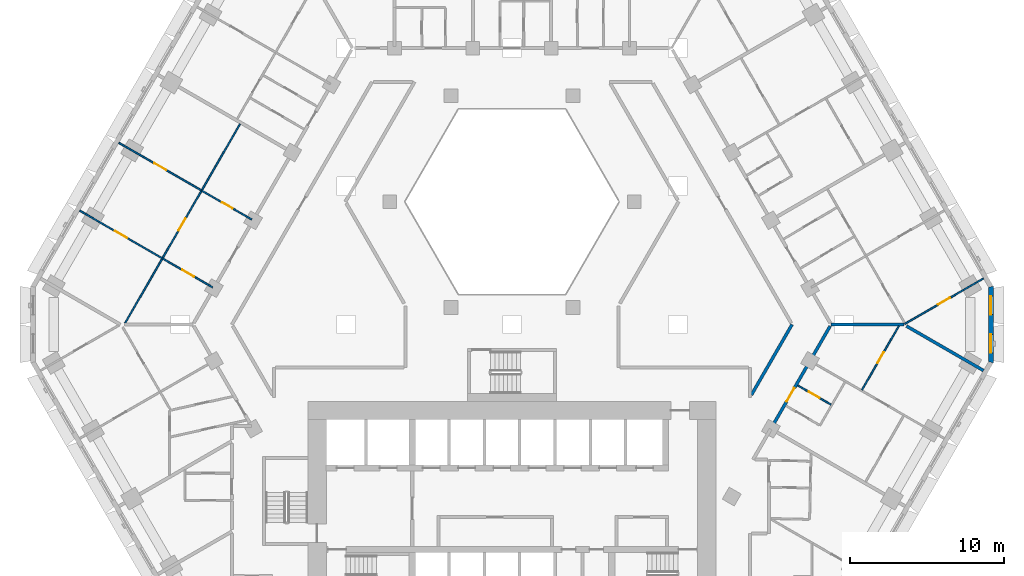
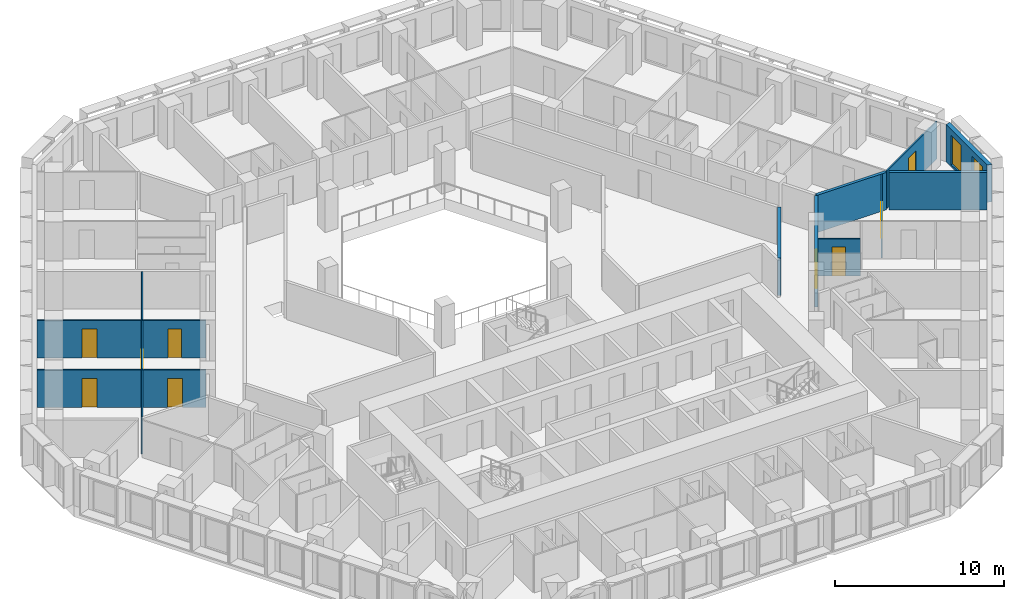
# One storey, part 8 of 21: 13 walls, 9 doors, 2 windows, 11 openings.
"""IFC4 building model written with IfcOpenShell, lengths in metres."""

from ifc_helpers import new_model, si_unit, direction, frame, frame_2d, origin, place, context, subcontext, project, spatial, polyline, rectangle, outline, extrude, material, layer, layer_set, type_object, element, fill, save


model = new_model("IFC4")

# Units and contexts
model_context = context("Model", 3, precision=1e-05, world=origin(), true_north=direction((0.0, 1.0)))
body_context = subcontext(model_context, "Body", "Model", "MODEL_VIEW")
ifc_project = project(units=[si_unit("LENGTHUNIT", "METRE"), si_unit("AREAUNIT", "SQUARE_METRE"), si_unit("VOLUMEUNIT", "CUBIC_METRE"), si_unit("PLANEANGLEUNIT", "RADIAN"), si_unit("MASSUNIT", "GRAM", prefix="KILO")], contexts=[model_context])

# Site, building, storey
site_placement = place(None, origin())
site = spatial("IfcSite", under=ifc_project, at=site_placement, CompositionType="ELEMENT")
building_placement = place(site_placement, origin())
building = spatial("IfcBuilding", under=site, at=building_placement, Name="Beryl Residences", CompositionType="ELEMENT")
storey_placement = place(building_placement, frame((0.0, 0.0, 23.39990234375)))
storey = spatial("IfcBuildingStorey", under=building, at=storey_placement, Name="L06", CompositionType="ELEMENT", Elevation=23.39990234375)

# Wall, openings, windows
ifc_material_1 = material(Name="Composite metal panel with mineral wool insulation")
ifc_layer_1 = layer(ifc_material_1, 0.300048828125)
ifc_layer_set_1 = layer_set([ifc_layer_1], Name="ES1 pale metal composite panel wall 300 mm")
wall_type_1 = type_object("IfcWallType", Name="ES1 pale metal composite panel wall 300 mm", PredefinedType="SOLIDWALL", material=ifc_layer_set_1)
wall_1_placement = place(storey_placement, frame((31.199951171875, -2.5, 0.0), z_axis=(0.0, 0.0, 1.0), x_axis=(0.0, 1.0, 0.0)))
wall_1 = element("IfcWall", 1, at=wall_1_placement, inside=storey, type_object=wall_type_1, Name="ES1 external wall L06 SE-NE", PredefinedType="SOLIDWALL", context=body_context, shape_type="SweptSolid", body=[
    extrude(outline(polyline([(0.0, -0.14990234375), (5.0, -0.14990234375), (4.919677734375, 0.14990234375), (0.080322265625, 0.14990234375), (0.0, -0.14990234375)])), origin(), (0.0, 0.0, 1.0), 2.7001953125),
])
opening_1_placement = place(wall_1_placement, frame((0.64990234375, 0.0, 0.14990234375)))
opening_1 = element("IfcOpeningElement", 2, at=opening_1_placement, cuts=wall_1, Name="Opening W2", PredefinedType="OPENING", context=body_context, shape_type="SweptSolid", body=[
    extrude(rectangle(XDim=1.199951171875, YDim=2.10009765625, at=frame_2d((0.60009765625, 1.050048828125))), frame((0.0, 0.159912109375, 0.0), z_axis=(0.0, -1.0, 0.0), x_axis=(1.0, 0.0, 0.0)), (0.0, 0.0, 1.0), 0.320068359375),
])
opening_2_placement = place(wall_1_placement, frame((3.14990234375, 0.0, 0.14990234375)))
opening_2 = element("IfcOpeningElement", 3, at=opening_2_placement, cuts=wall_1, Name="Opening W2", PredefinedType="OPENING", context=body_context, shape_type="SweptSolid", body=[
    extrude(rectangle(XDim=1.199951171875, YDim=2.10009765625, at=frame_2d((0.60009765625, 1.050048828125))), frame((0.0, 0.159912109375, 0.0), z_axis=(0.0, -1.0, 0.0), x_axis=(1.0, 0.0, 0.0)), (0.0, 0.0, 1.0), 0.320068359375),
])
ifc_material_2 = material(Name="Aluminium and clear glass", Category="aluminium")
window_type = type_object("IfcWindowType", Name="W2 chamfer window 1200 x 2100 mm", PartitioningType="SINGLE_PANEL", PredefinedType="WINDOW", material=ifc_material_2)
window_1_placement = place(opening_1_placement, origin())
window_1 = element("IfcWindow", 4, at=window_1_placement, inside=storey, type_object=window_type, Name="W2 window L06 SE-NE 1", OverallHeight=2.10009765625, OverallWidth=1.199951171875, PartitioningType="SINGLE_PANEL", PredefinedType="WINDOW", context=body_context, shape_type="SweptSolid", body=[
    extrude(rectangle(XDim=1.199951171875, YDim=2.10009765625, at=frame_2d((0.60009765625, 1.050048828125))), frame((0.0, 0.030029296875, 0.0), z_axis=(0.0, -1.0, 0.0), x_axis=(1.0, 0.0, 0.0)), (0.0, 0.0, 1.0), 0.06005859375),
])
fill(opening_1, window_1)
window_2_placement = place(opening_2_placement, origin())
window_2 = element("IfcWindow", 5, at=window_2_placement, inside=storey, type_object=window_type, Name="W2 window L06 SE-NE 2", OverallHeight=2.10009765625, OverallWidth=1.199951171875, PartitioningType="SINGLE_PANEL", PredefinedType="WINDOW", context=body_context, shape_type="SweptSolid", body=[
    extrude(rectangle(XDim=1.199951171875, YDim=2.10009765625, at=frame_2d((0.60009765625, 1.050048828125))), frame((0.0, 0.030029296875, 0.0), z_axis=(0.0, -1.0, 0.0), x_axis=(1.0, 0.0, 0.0)), (0.0, 0.0, 1.0), 0.06005859375),
])
fill(opening_2, window_2)

# Wall, opening, door
ifc_material_3 = material(Name="Gypsum board partition on steel studs", Category="steel")
ifc_layer_2 = layer(ifc_material_3, 0.10009765625)
ifc_layer_set_2 = layer_set([ifc_layer_2], Name="PT1 partition 100 mm gypsum board on steel studs")
wall_type_2 = type_object("IfcWallType", Name="PT1 partition 100 mm gypsum board on steel studs", PredefinedType="PARTITIONING", material=ifc_layer_set_2)
wall_2_placement = place(storey_placement, frame((-28.1640625, 7.4189453125, 0.0), z_axis=(0.0, 0.0, 1.0), x_axis=(0.86607068519, -0.499921562103, 0.0)))
wall_2 = element("IfcWall", 6, at=wall_2_placement, inside=storey, type_object=wall_type_2, Name="Wall PT1 L06 014", PredefinedType="PARTITIONING", context=body_context, shape_type="SweptSolid", body=[
    extrude(rectangle(XDim=6.22705078125, YDim=0.10009765625, at=frame_2d((3.113525390625, 0.0))), origin(), (0.0, 0.0, 1.0), 2.7001953125),
])
opening_3_placement = place(wall_2_placement, frame((2.6630859375, 0.0, 0.0)))
opening_3 = element("IfcOpeningElement", 7, at=opening_3_placement, cuts=wall_2, Name="Opening D0167", PredefinedType="OPENING", context=body_context, shape_type="SweptSolid", body=[
    extrude(rectangle(XDim=0.89990234375, YDim=2.10009765625, at=frame_2d((0.449951171875, 1.050048828125))), frame((0.0, 0.06005859375, 0.0), z_axis=(0.0, -1.0, 0.0), x_axis=(1.0, 0.0, 0.0)), (0.0, 0.0, 1.0), 0.1201171875),
])
ifc_material_4 = material(Name="Timber door leaf", Category="wood")
door_type_1 = type_object("IfcDoorType", Name="D2 room door 900 x 2100 mm", OperationType="SINGLE_SWING_LEFT", PredefinedType="DOOR", material=ifc_material_4)
door_1_placement = place(opening_3_placement, origin())
door_1 = element("IfcDoor", 8, at=door_1_placement, inside=storey, type_object=door_type_1, Name="Door D0167 L06 001", OperationType="SINGLE_SWING_LEFT", OverallHeight=2.10009765625, OverallWidth=0.89990234375, PredefinedType="DOOR", context=body_context, shape_type="SweptSolid", body=[
    extrude(rectangle(XDim=0.89990234375, YDim=2.10009765625, at=frame_2d((0.449951171875, 1.050048828125))), frame((0.0, 0.02490234375, 0.0), z_axis=(0.0, -1.0, 0.0), x_axis=(1.0, 0.0, 0.0)), (0.0, 0.0, 1.0), 0.050048828125),
])
fill(opening_3, door_1)

wall_3_placement = place(storey_placement, frame((-25.611083984375, 11.839111328125, 0.0), z_axis=(0.0, 0.0, 1.0), x_axis=(0.866031483044, -0.499989470266, 0.0)))
wall_3 = element("IfcWall", 9, at=wall_3_placement, inside=storey, type_object=wall_type_2, Name="Wall PT1 L06 015", PredefinedType="PARTITIONING", context=body_context, shape_type="SweptSolid", body=[
    extrude(rectangle(XDim=6.226318359375, YDim=0.10009765625, at=frame_2d((3.11328125, 0.0))), origin(), (0.0, 0.0, 1.0), 2.7001953125),
])
opening_4_placement = place(wall_3_placement, frame((2.6630859375, 0.0, 0.0)))
opening_4 = element("IfcOpeningElement", 10, at=opening_4_placement, cuts=wall_3, Name="Opening D0168", PredefinedType="OPENING", context=body_context, shape_type="SweptSolid", body=[
    extrude(rectangle(XDim=0.89990234375, YDim=2.10009765625, at=frame_2d((0.449951171875, 1.050048828125))), frame((0.0, 0.06005859375, 0.0), z_axis=(0.0, -1.0, 0.0), x_axis=(1.0, 0.0, 0.0)), (0.0, 0.0, 1.0), 0.1201171875),
])
door_2_placement = place(opening_4_placement, origin())
door_2 = element("IfcDoor", 11, at=door_2_placement, inside=storey, type_object=door_type_1, Name="Door D0168 L06 001", OperationType="SINGLE_SWING_RIGHT", OverallHeight=2.10009765625, OverallWidth=0.89990234375, PredefinedType="DOOR", context=body_context, shape_type="SweptSolid", body=[
    extrude(rectangle(XDim=0.89990234375, YDim=2.10009765625, at=frame_2d((0.449951171875, 1.050048828125))), frame((0.0, 0.02490234375, 0.0), z_axis=(0.0, -1.0, 0.0), x_axis=(1.0, 0.0, 0.0)), (0.0, 0.0, 1.0), 0.050048828125),
])
fill(opening_4, door_2)

wall_4_placement = place(storey_placement, frame((18.610107421875, -3.966064453125, 0.0), z_axis=(0.0, 0.0, 1.0), x_axis=(0.865958718457, -0.500115484592, 0.0)))
wall_4 = element("IfcWall", 12, at=wall_4_placement, inside=storey, type_object=wall_type_2, Name="Wall PT1 L06 019", PredefinedType="PARTITIONING", context=body_context, shape_type="SweptSolid", body=[
    extrude(rectangle(XDim=2.50927734375, YDim=0.10009765625, at=frame_2d((1.254638671875, 0.0))), origin(), (0.0, 0.0, 1.0), 2.7001953125),
])
opening_5_placement = place(wall_4_placement, frame((0.830078125, 0.0, 0.0)))
opening_5 = element("IfcOpeningElement", 13, at=opening_5_placement, cuts=wall_4, Name="Opening D0124", PredefinedType="OPENING", context=body_context, shape_type="SweptSolid", body=[
    extrude(rectangle(XDim=0.800048828125, YDim=2.10009765625, at=frame_2d((0.39990234375, 1.050048828125))), frame((0.0, 0.06005859375, 0.0), z_axis=(0.0, -1.0, 0.0), x_axis=(1.0, 0.0, 0.0)), (0.0, 0.0, 1.0), 0.1201171875),
])
ifc_material_5 = material(Name="Timber door leaf", Category="wood")
door_type_2 = type_object("IfcDoorType", Name="D3 bathroom door 800 x 2100 mm", OperationType="SINGLE_SWING_LEFT", PredefinedType="DOOR", material=ifc_material_5)
door_3_placement = place(opening_5_placement, origin())
door_3 = element("IfcDoor", 14, at=door_3_placement, inside=storey, type_object=door_type_2, Name="Door D0124 L06 001", OperationType="SINGLE_SWING_RIGHT", OverallHeight=2.10009765625, OverallWidth=0.800048828125, PredefinedType="DOOR", context=body_context, shape_type="SweptSolid", body=[
    extrude(rectangle(XDim=0.800048828125, YDim=2.10009765625, at=frame_2d((0.39990234375, 1.050048828125))), frame((0.0, 0.02490234375, 0.0), z_axis=(0.0, -1.0, 0.0), x_axis=(1.0, 0.0, 0.0)), (0.0, 0.0, 1.0), 0.050048828125),
])
fill(opening_5, door_3)

wall_5_placement = place(storey_placement, frame((22.797119140625, -4.262939453125, 0.0), z_axis=(0.0, 0.0, 1.0), x_axis=(0.499820637322, 0.866128934112, 0.0)))
wall_5 = element("IfcWall", 15, at=wall_5_placement, inside=storey, type_object=wall_type_2, Name="Wall PT1 L06 036", PredefinedType="PARTITIONING", context=body_context, shape_type="SweptSolid", body=[
    extrude(rectangle(XDim=4.807373046875, YDim=0.10009765625, at=frame_2d((2.40380859375, 0.0))), origin(), (0.0, 0.0, 1.0), 2.7001953125),
])
opening_6_placement = place(wall_5_placement, frame((2.037109375, 0.0, 0.0)))
opening_6 = element("IfcOpeningElement", 16, at=opening_6_placement, cuts=wall_5, Name="Opening D0127", PredefinedType="OPENING", context=body_context, shape_type="SweptSolid", body=[
    extrude(rectangle(XDim=0.800048828125, YDim=2.10009765625, at=frame_2d((0.39990234375, 1.050048828125))), frame((0.0, 0.06005859375, 0.0), z_axis=(0.0, -1.0, 0.0), x_axis=(1.0, 0.0, 0.0)), (0.0, 0.0, 1.0), 0.1201171875),
])
door_4_placement = place(opening_6_placement, origin())
door_4 = element("IfcDoor", 17, at=door_4_placement, inside=storey, type_object=door_type_2, Name="Door D0127 L06 001", OperationType="SINGLE_SWING_LEFT", OverallHeight=2.10009765625, OverallWidth=0.800048828125, PredefinedType="DOOR", context=body_context, shape_type="SweptSolid", body=[
    extrude(rectangle(XDim=0.800048828125, YDim=2.10009765625, at=frame_2d((0.39990234375, 1.050048828125))), frame((0.0, 0.02490234375, 0.0), z_axis=(0.0, -1.0, 0.0), x_axis=(1.0, 0.0, 0.0)), (0.0, 0.0, 1.0), 0.050048828125),
])
fill(opening_6, door_4)

wall_6_placement = place(storey_placement, frame((-25.199951171875, 0.09912109375, 0.0), z_axis=(0.0, 0.0, 1.0), x_axis=(0.49997477318, 0.866039968006, 0.0)))
wall_6 = element("IfcWall", 18, at=wall_6_placement, inside=storey, type_object=wall_type_2, Name="Wall PT1 L06 039", PredefinedType="PARTITIONING", context=body_context, shape_type="SweptSolid", body=[
    extrude(rectangle(XDim=14.964599609375, YDim=0.10009765625, at=frame_2d((7.482421875, 0.0))), origin(), (0.0, 0.0, 1.0), 2.7001953125),
])
opening_7_placement = place(wall_6_placement, frame((6.9599609375, 0.0, 0.0)))
opening_7 = element("IfcOpeningElement", 19, at=opening_7_placement, cuts=wall_6, Name="Opening D0164", PredefinedType="OPENING", context=body_context, shape_type="SweptSolid", body=[
    extrude(rectangle(XDim=0.89990234375, YDim=2.10009765625, at=frame_2d((0.449951171875, 1.050048828125))), frame((0.0, 0.06005859375, 0.0), z_axis=(0.0, -1.0, 0.0), x_axis=(1.0, 0.0, 0.0)), (0.0, 0.0, 1.0), 0.1201171875),
])
door_5_placement = place(opening_7_placement, origin())
door_5 = element("IfcDoor", 20, at=door_5_placement, inside=storey, type_object=door_type_1, Name="Door D0164 L06 001", OperationType="SINGLE_SWING_RIGHT", OverallHeight=2.10009765625, OverallWidth=0.89990234375, PredefinedType="DOOR", context=body_context, shape_type="SweptSolid", body=[
    extrude(rectangle(XDim=0.89990234375, YDim=2.10009765625, at=frame_2d((0.449951171875, 1.050048828125))), frame((0.0, 0.02490234375, 0.0), z_axis=(0.0, -1.0, 0.0), x_axis=(1.0, 0.0, 0.0)), (0.0, 0.0, 1.0), 0.050048828125),
])
fill(opening_7, door_5)

wall_7_placement = place(storey_placement, frame((25.587890625, 0.041015625, 0.0), z_axis=(0.0, 0.0, 1.0), x_axis=(0.866113484451, 0.499847408768, 0.0)))
wall_7 = element("IfcWall", 21, at=wall_7_placement, inside=storey, type_object=wall_type_2, Name="Wall PT1 L06 063", PredefinedType="PARTITIONING", context=body_context, shape_type="SweptSolid", body=[
    extrude(rectangle(XDim=5.919677734375, YDim=0.10009765625, at=frame_2d((2.9599609375, 0.0))), origin(), (0.0, 0.0, 1.0), 2.7001953125),
])
opening_8_placement = place(wall_7_placement, frame((2.510009765625, 0.0, 0.0)))
opening_8 = element("IfcOpeningElement", 22, at=opening_8_placement, cuts=wall_7, Name="Opening D0133", PredefinedType="OPENING", context=body_context, shape_type="SweptSolid", body=[
    extrude(rectangle(XDim=0.89990234375, YDim=2.10009765625, at=frame_2d((0.449951171875, 1.050048828125))), frame((0.0, 0.06005859375, 0.0), z_axis=(0.0, -1.0, 0.0), x_axis=(1.0, 0.0, 0.0)), (0.0, 0.0, 1.0), 0.1201171875),
])
door_6_placement = place(opening_8_placement, origin())
door_6 = element("IfcDoor", 23, at=door_6_placement, inside=storey, type_object=door_type_1, Name="Door D0133 L06 001", OperationType="SINGLE_SWING_LEFT", OverallHeight=2.10009765625, OverallWidth=0.89990234375, PredefinedType="DOOR", context=body_context, shape_type="SweptSolid", body=[
    extrude(rectangle(XDim=0.89990234375, YDim=2.10009765625, at=frame_2d((0.449951171875, 1.050048828125))), frame((0.0, 0.02490234375, 0.0), z_axis=(0.0, -1.0, 0.0), x_axis=(1.0, 0.0, 0.0)), (0.0, 0.0, 1.0), 0.050048828125),
])
fill(opening_8, door_6)

wall_8_placement = place(storey_placement, frame((-22.77099609375, 4.305908203125, 0.0), z_axis=(0.0, 0.0, 1.0), x_axis=(0.866008894869, -0.50002859319, 0.0)))
wall_8 = element("IfcWall", 24, at=wall_8_placement, inside=storey, type_object=wall_type_2, Name="Wall PT1 L06 073", PredefinedType="PARTITIONING", context=body_context, shape_type="SweptSolid", body=[
    extrude(rectangle(XDim=3.773681640625, YDim=0.10009765625, at=frame_2d((1.88671875, 0.0))), origin(), (0.0, 0.0, 1.0), 2.7001953125),
])
opening_9_placement = place(wall_8_placement, frame((1.486083984375, 0.0, 0.0)))
opening_9 = element("IfcOpeningElement", 25, at=opening_9_placement, cuts=wall_8, Name="Opening D0165", PredefinedType="OPENING", context=body_context, shape_type="SweptSolid", body=[
    extrude(rectangle(XDim=0.89990234375, YDim=2.10009765625, at=frame_2d((0.449951171875, 1.050048828125))), frame((0.0, 0.06005859375, 0.0), z_axis=(0.0, -1.0, 0.0), x_axis=(1.0, 0.0, 0.0)), (0.0, 0.0, 1.0), 0.1201171875),
])
door_7_placement = place(opening_9_placement, origin())
door_7 = element("IfcDoor", 26, at=door_7_placement, inside=storey, type_object=door_type_1, Name="Door D0165 L06 001", OperationType="SINGLE_SWING_LEFT", OverallHeight=2.10009765625, OverallWidth=0.89990234375, PredefinedType="DOOR", context=body_context, shape_type="SweptSolid", body=[
    extrude(rectangle(XDim=0.89990234375, YDim=2.10009765625, at=frame_2d((0.449951171875, 1.050048828125))), frame((0.0, 0.02490234375, 0.0), z_axis=(0.0, -1.0, 0.0), x_axis=(1.0, 0.0, 0.0)), (0.0, 0.0, 1.0), 0.050048828125),
])
fill(opening_9, door_7)

wall_9_placement = place(storey_placement, frame((-20.218994140625, 8.72607421875, 0.0), z_axis=(0.0, 0.0, 1.0), x_axis=(0.866008894869, -0.50002859319, 0.0)))
wall_9 = element("IfcWall", 27, at=wall_9_placement, inside=storey, type_object=wall_type_2, Name="Wall PT1 L06 074", PredefinedType="PARTITIONING", context=body_context, shape_type="SweptSolid", body=[
    extrude(rectangle(XDim=3.773681640625, YDim=0.10009765625, at=frame_2d((1.88671875, 0.0))), origin(), (0.0, 0.0, 1.0), 2.7001953125),
])
opening_10_placement = place(wall_9_placement, frame((1.537109375, 0.0, 0.0)))
opening_10 = element("IfcOpeningElement", 28, at=opening_10_placement, cuts=wall_9, Name="Opening D0166", PredefinedType="OPENING", context=body_context, shape_type="SweptSolid", body=[
    extrude(rectangle(XDim=0.800048828125, YDim=2.10009765625, at=frame_2d((0.39990234375, 1.050048828125))), frame((0.0, 0.06005859375, 0.0), z_axis=(0.0, -1.0, 0.0), x_axis=(1.0, 0.0, 0.0)), (0.0, 0.0, 1.0), 0.1201171875),
])
door_8_placement = place(opening_10_placement, origin())
door_8 = element("IfcDoor", 29, at=door_8_placement, inside=storey, type_object=door_type_2, Name="Door D0166 L06 001", OperationType="SINGLE_SWING_RIGHT", OverallHeight=2.10009765625, OverallWidth=0.800048828125, PredefinedType="DOOR", context=body_context, shape_type="SweptSolid", body=[
    extrude(rectangle(XDim=0.800048828125, YDim=2.10009765625, at=frame_2d((0.39990234375, 1.050048828125))), frame((0.0, 0.02490234375, 0.0), z_axis=(0.0, -1.0, 0.0), x_axis=(1.0, 0.0, 0.0)), (0.0, 0.0, 1.0), 0.050048828125),
])
fill(opening_10, door_8)

# Walls
ifc_material_6 = material(Name="Acoustic double stud gypsum board wall")
ifc_layer_3 = layer(ifc_material_6, 0.199951171875)
ifc_layer_set_3 = layer_set([ifc_layer_3], Name="PT3 party wall 200 mm acoustic double stud")
wall_type_3 = type_object("IfcWallType", Name="PT3 party wall 200 mm acoustic double stud", PredefinedType="PARTITIONING", material=ifc_layer_set_3)
wall_10_placement = place(storey_placement, frame((25.693115234375, -0.09912109375, 0.0), z_axis=(0.0, 0.0, 1.0), x_axis=(0.866032775405, -0.499987231761, 0.0)))
element("IfcWall", 30, at=wall_10_placement, inside=storey, type_object=wall_type_3, Name="Wall PT3 L06 010", PredefinedType="PARTITIONING", context=body_context, shape_type="SweptSolid", body=[
    extrude(rectangle(XDim=5.800048828125, YDim=0.199951171875, at=frame_2d((2.89990234375, 0.0))), origin(), (0.0, 0.0, 1.0), 2.7001953125),
])
wall_11_placement = place(storey_placement, frame((20.783935546875, 0.0009765625, 0.0), z_axis=(0.0, 0.0, 1.0), x_axis=(1.0, 0.0, 0.0)))
element("IfcWall", 31, at=wall_11_placement, inside=storey, type_object=wall_type_3, Name="Wall PT3 L06 014", PredefinedType="PARTITIONING", context=body_context, shape_type="SweptSolid", body=[
    extrude(rectangle(XDim=4.736083984375, YDim=0.199951171875, at=frame_2d((2.3681640625, 0.0))), origin(), (0.0, 0.0, 1.0), 2.7001953125),
])
ifc_material_7 = material(Name="Double stud gypsum board wall")
ifc_layer_4 = layer(ifc_material_7, 0.199951171875)
ifc_layer_set_4 = layer_set([ifc_layer_4], Name="PT4 corridor wall 200 mm double stud")
wall_type_4 = type_object("IfcWallType", Name="PT4 corridor wall 200 mm double stud", PredefinedType="PARTITIONING", material=ifc_layer_set_4)
wall_12_placement = place(storey_placement, frame((15.60009765625, -4.5791015625, 0.0), z_axis=(0.0, 0.0, 1.0), x_axis=(0.499927597274, 0.866067201483, 0.0)))
element("IfcWall", 32, at=wall_12_placement, inside=storey, type_object=wall_type_4, Name="Wall PT4 L06 019", PredefinedType="PARTITIONING", context=body_context, shape_type="SweptSolid", body=[
    extrude(rectangle(XDim=5.288330078125, YDim=0.199951171875, at=frame_2d((2.64404296875, 0.0))), origin(), (0.0, 0.0, 1.0), 2.7001953125),
])

# Wall, opening, door
wall_13_placement = place(storey_placement, frame((16.9140625, -6.702880859375, 0.0), z_axis=(0.0, 0.0, 1.0), x_axis=(0.50003007663, 0.866008038338, 0.0)))
wall_13 = element("IfcWall", 33, at=wall_13_placement, inside=storey, type_object=wall_type_4, Name="Wall PT4 L06 021", PredefinedType="PARTITIONING", context=body_context, shape_type="SweptSolid", body=[
    extrude(rectangle(XDim=7.62548828125, YDim=0.199951171875, at=frame_2d((3.812744140625, 0.0))), origin(), (0.0, 0.0, 1.0), 2.7001953125),
])
opening_11_placement = place(wall_13_placement, frame((1.951904296875, 0.0, 0.0)))
opening_11 = element("IfcOpeningElement", 34, at=opening_11_placement, cuts=wall_13, Name="Opening D0122", PredefinedType="OPENING", context=body_context, shape_type="SweptSolid", body=[
    extrude(rectangle(XDim=1.0, YDim=2.10009765625, at=frame_2d((0.5, 1.050048828125))), frame((0.0, 0.10986328125, 0.0), z_axis=(0.0, -1.0, 0.0), x_axis=(1.0, 0.0, 0.0)), (0.0, 0.0, 1.0), 0.219970703125),
])
ifc_material_8 = material(Name="Timber door leaf", Category="wood")
door_type_3 = type_object("IfcDoorType", Name="D1 flat entrance door 1000 x 2100 mm", OperationType="SINGLE_SWING_LEFT", PredefinedType="DOOR", material=ifc_material_8)
door_9_placement = place(opening_11_placement, origin())
door_9 = element("IfcDoor", 35, at=door_9_placement, inside=storey, type_object=door_type_3, Name="Door D0122 L06 001", OperationType="SINGLE_SWING_RIGHT", OverallHeight=2.10009765625, OverallWidth=1.0, PredefinedType="DOOR", context=body_context, shape_type="SweptSolid", body=[
    extrude(rectangle(XDim=1.0, YDim=2.10009765625, at=frame_2d((0.5, 1.050048828125))), frame((0.0, 0.02490234375, 0.0), z_axis=(0.0, -1.0, 0.0), x_axis=(1.0, 0.0, 0.0)), (0.0, 0.0, 1.0), 0.050048828125),
])
fill(opening_11, door_9)

save(model, "model.ifc")
